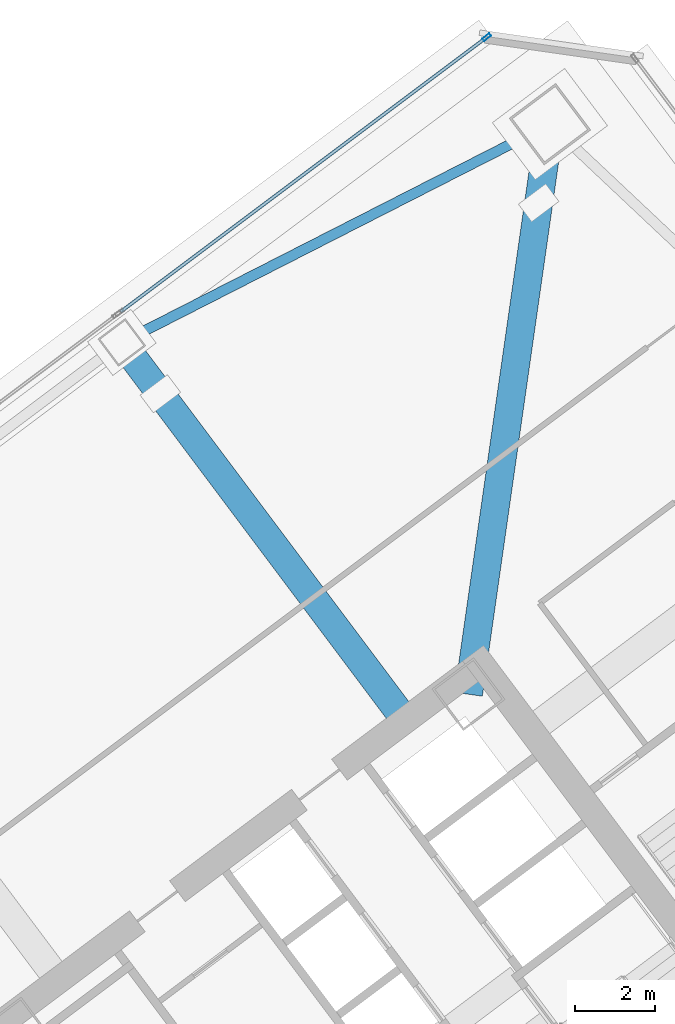
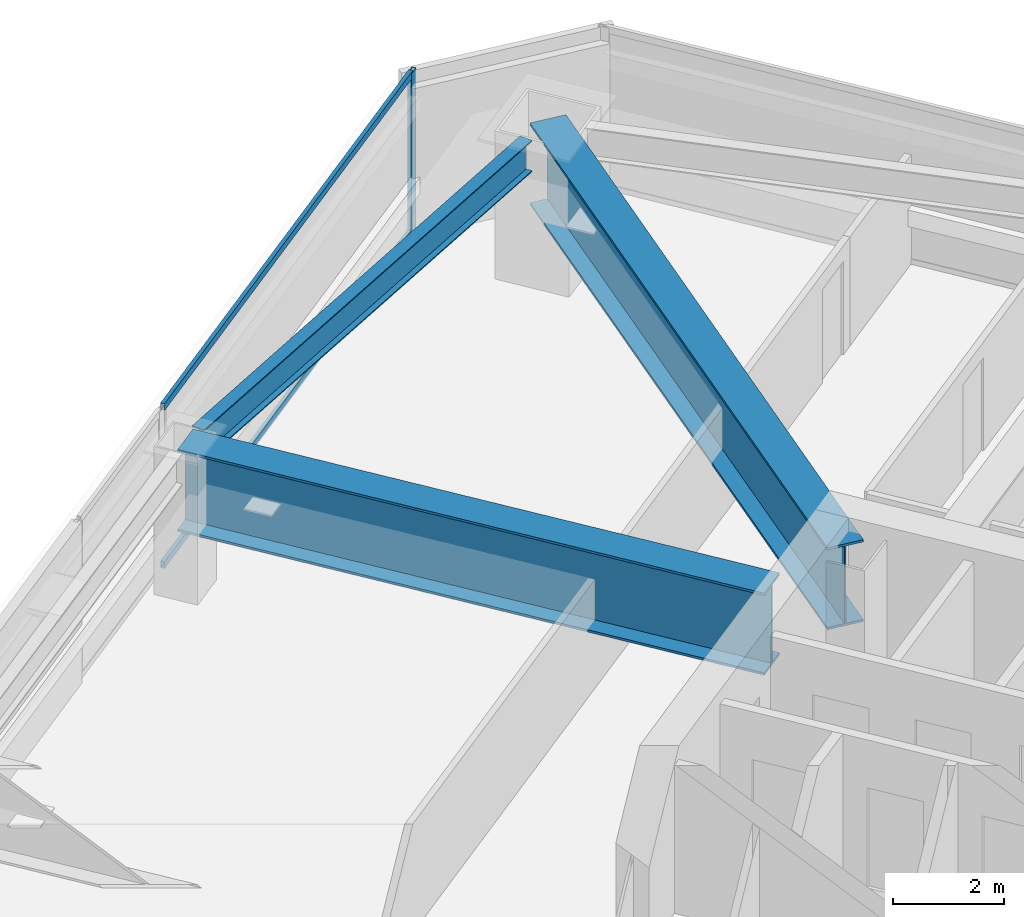
# One storey, part 31 of 49: 3 beams, 3 members, 1 element without a shape of its own.
"""IFC4 building model written with IfcOpenShell, lengths in metres."""

from ifc_helpers import new_model, si_unit, direction, frame, origin, origin_2d, place, context, subcontext, project, spatial, hollow_rectangle, i_section, extrude, material, material_profile, profile_set, type_object, element, aggregate, save


model = new_model("IFC4")

# Units and contexts
model_context = context("Model", 3, precision=1e-05, world=origin(), true_north=direction((0.0, 1.0)))
body_context = subcontext(model_context, "Body", "Model", "MODEL_VIEW")
ifc_project = project(units=[si_unit("LENGTHUNIT", "METRE"), si_unit("AREAUNIT", "SQUARE_METRE"), si_unit("VOLUMEUNIT", "CUBIC_METRE"), si_unit("PLANEANGLEUNIT", "RADIAN"), si_unit("MASSUNIT", "GRAM", prefix="KILO")], contexts=[model_context])

# Site, building, storey
site_placement = place(None, origin())
site = spatial("IfcSite", under=ifc_project, at=site_placement, CompositionType="ELEMENT")
building_placement = place(site_placement, origin())
building = spatial("IfcBuilding", under=site, at=building_placement, Name="Tashvorn Skyway Center", CompositionType="ELEMENT")
storey_placement = place(building_placement, frame((0.0, 0.0, 106.25)))
storey = spatial("IfcBuildingStorey", under=building, at=storey_placement, Name="L28", CompositionType="ELEMENT", Elevation=106.25)

# Beams
ifc_material_1 = material(Name="Steel ASTM A572 Grade 50", Category="steel")
ifc_material_profile_1 = material_profile(ifc_material_1, i_section(OverallWidth=0.699951171875, OverallDepth=1.800048828125, WebThickness=0.031982421875, FlangeThickness=0.050048828125, at=origin_2d()), Name="PG1800x700")
ifc_profile_set_1 = profile_set([ifc_material_profile_1], Name="Steel ASTM A572 Grade 50")
beam_type_1 = type_object("IfcBeamType", Name="BM-BEAM-PG1800x700", PredefinedType="BEAM", material=ifc_profile_set_1)
beam_1_placement = place(storey_placement, frame((117.43994140625, 56.080078125, 2.35009765625), z_axis=(-0.141423737394, -0.989949153493, 0.0), x_axis=(0.989949153493, -0.141423737394, 0.0)))
element("IfcBeam", 1, at=beam_1_placement, inside=storey, type_object=beam_type_1, Name="Tower 2 L28 Setback Transfer Girder MC-NE", PredefinedType="BEAM", context=body_context, shape_type="SweptSolid", body=[
    extrude(i_section(OverallWidth=0.699951171875, OverallDepth=1.800048828125, WebThickness=0.031982421875, FlangeThickness=0.050048828125, at=origin_2d()), origin(), (0.0, 0.0, 1.0), 14.354248046875),
])
beam_2_placement = place(storey_placement, frame((106.77001953125, 50.639892578125, 2.35009765625), z_axis=(0.600013622557, -0.799989782901, 0.0), x_axis=(0.799989782901, 0.600013622557, 0.0)))
element("IfcBeam", 2, at=beam_2_placement, inside=storey, type_object=beam_type_1, Name="Tower 2 L28 Setback Transfer Girder FC-N1", PredefinedType="BEAM", context=body_context, shape_type="SweptSolid", body=[
    extrude(i_section(OverallWidth=0.699951171875, OverallDepth=1.800048828125, WebThickness=0.031982421875, FlangeThickness=0.050048828125, at=origin_2d()), origin(), (0.0, 0.0, 1.0), 11.469970703125),
])
ifc_material_2 = material(Name="Steel ASTM A992 Grade 50", Category="steel")
ifc_material_profile_2 = material_profile(ifc_material_2, i_section(OverallWidth=0.256103515625, OverallDepth=0.693115234375, WebThickness=0.014404296875, FlangeThickness=0.023681640625, at=origin_2d()), Name="W27X114")
ifc_profile_set_2 = profile_set([ifc_material_profile_2], Name="Steel ASTM A992 Grade 50")
beam_type_2 = type_object("IfcBeamType", Name="BM-SPANDREL-W27X114", PredefinedType="SPANDREL", material=ifc_profile_set_2)
beam_3_placement = place(storey_placement, frame((116.798583984375, 55.7529296875, 2.903564453125), z_axis=(-0.890894170442, -0.454210938961, 0.0), x_axis=(0.454210938961, -0.890894170442, 0.0)))
element("IfcBeam", 3, at=beam_3_placement, inside=storey, type_object=beam_type_2, Name="Tower 2 L28 Spandrel Beam 07", PredefinedType="SPANDREL", context=body_context, shape_type="SweptSolid", body=[
    extrude(i_section(OverallWidth=0.256103515625, OverallDepth=0.693115234375, WebThickness=0.014404296875, FlangeThickness=0.023681640625, at=origin_2d()), origin(), (0.0, 0.0, 1.0), 10.836669921875),
])

# Curtain wall, members
ifc_material_3 = material(Name="Thermally broken bronze-anodized aluminium 6063-T6", Category="aluminium")
curtain_wall_type = type_object("IfcCurtainWallType", Name="CW-CW-Z2", PredefinedType="NOTDEFINED", material=ifc_material_3)
curtain_wall_placement = place(storey_placement, origin())
curtain_wall = element("IfcCurtainWall", 4, at=curtain_wall_placement, inside=storey, type_object=curtain_wall_type, Name="Tower 2 L28 North Unitised Curtain Wall Glazing Group 4", PredefinedType="NOTDEFINED")
ifc_material_profile_3 = material_profile(ifc_material_3, hollow_rectangle(XDim=0.080078125, YDim=0.219970703125, WallThickness=0.0048828125, at=origin_2d()), Name="ALU-MULL-80x220")
ifc_profile_set_3 = profile_set([ifc_material_profile_3], Name="Thermally broken bronze-anodized aluminium 6063-T6")
member_type_1 = type_object("IfcMemberType", Name="CWM-CW-Z2", PredefinedType="MULLION", material=ifc_profile_set_3)
member_1_placement = place(storey_placement, frame((115.864013671875, 58.248046875, 0.0), z_axis=(0.0, 0.0, 1.0), x_axis=(-0.600000000002, 0.799999999998, 0.0)))
member_1 = element("IfcMember", 5, at=member_1_placement, type_object=member_type_1, Name="CW-Z2 mullion 2", PredefinedType="MULLION", context=body_context, shape_type="SweptSolid", body=[
    extrude(hollow_rectangle(XDim=0.080078125, YDim=0.219970703125, WallThickness=0.0048828125, at=origin_2d()), origin(), (0.0, 0.0, 1.0), 3.550048828125),
])
ifc_material_profile_4 = material_profile(ifc_material_3, hollow_rectangle(XDim=0.080078125, YDim=0.14990234375, WallThickness=0.00439453125, at=origin_2d()), Name="ALU-TRAN-80x150")
ifc_profile_set_4 = profile_set([ifc_material_profile_4], Name="Thermally broken bronze-anodized aluminium 6063-T6")
member_type_2 = type_object("IfcMemberType", Name="CWT-CW-Z2", PredefinedType="USERDEFINED", material=ifc_profile_set_4)
member_2_placement = place(storey_placement, frame((106.743896484375, 51.407958984375, 0.0400390625), z_axis=(0.799997421089, 0.600003438533, 0.0), x_axis=(-0.600003438533, 0.799997421089, 0.0)))
member_2 = element("IfcMember", 6, at=member_2_placement, type_object=member_type_2, Name="CW-Z2 transom 1.1", ObjectType="TRANSOM", PredefinedType="USERDEFINED", context=body_context, shape_type="SweptSolid", body=[
    extrude(hollow_rectangle(XDim=0.080078125, YDim=0.14990234375, WallThickness=0.00439453125, at=origin_2d()), origin(), (0.0, 0.0, 1.0), 11.360107421875),
])
member_3_placement = place(storey_placement, frame((106.743896484375, 51.407958984375, 3.510009765625), z_axis=(0.799997421089, 0.600003438533, 0.0), x_axis=(-0.600003438533, 0.799997421089, 0.0)))
member_3 = element("IfcMember", 7, at=member_3_placement, type_object=member_type_2, Name="CW-Z2 transom 1.2", ObjectType="TRANSOM", PredefinedType="USERDEFINED", context=body_context, shape_type="SweptSolid", body=[
    extrude(hollow_rectangle(XDim=0.080078125, YDim=0.14990234375, WallThickness=0.00439453125, at=origin_2d()), origin(), (0.0, 0.0, 1.0), 11.360107421875),
])
aggregate(curtain_wall, [member_1, member_2, member_3])

save(model, "model.ifc")
